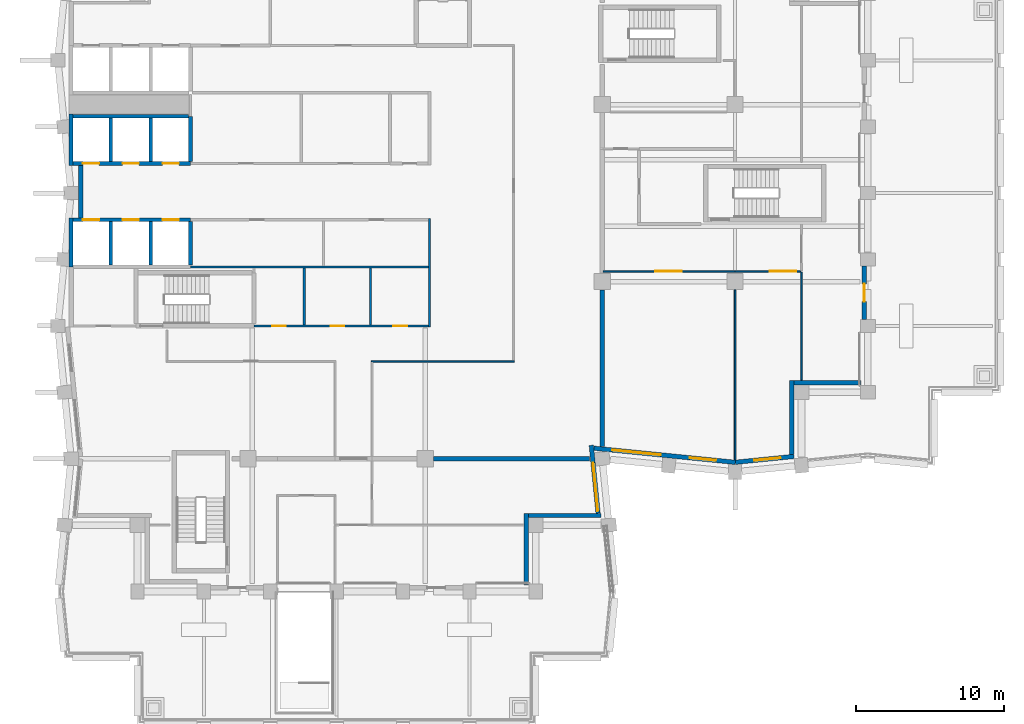
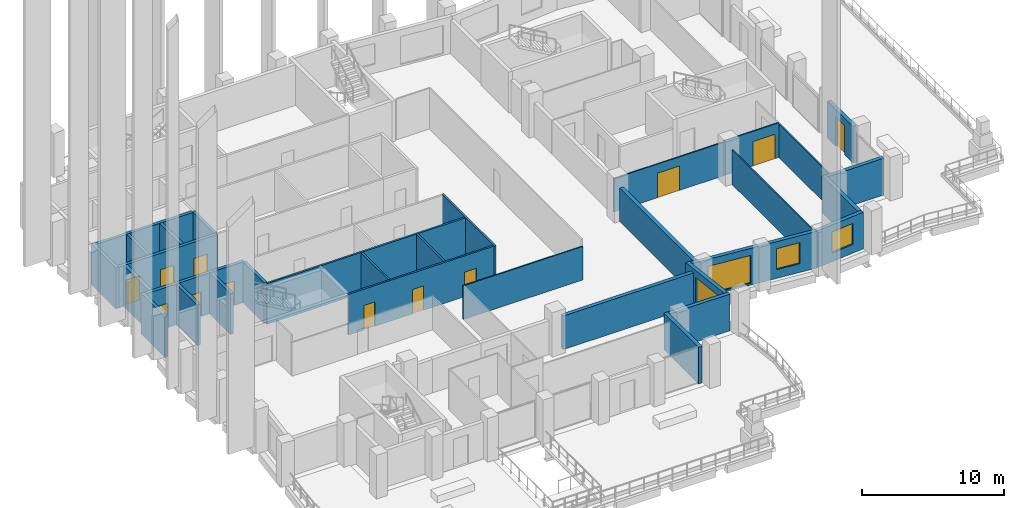
# One storey, part 12 of 19: 32 walls, 12 doors, 4 windows, 16 openings.
"""IFC4 building model written with IfcOpenShell, lengths in metres."""

from ifc_helpers import new_model, si_unit, direction, frame, frame_2d, origin, place, context, subcontext, project, spatial, rectangle, extrude, material, layer, layer_set, type_object, element, fill, save


model = new_model("IFC4")

# Units and contexts
model_context = context("Model", 3, precision=1e-05, world=origin(), true_north=direction((0.0, 1.0)))
body_context = subcontext(model_context, "Body", "Model", "MODEL_VIEW")
ifc_project = project(units=[si_unit("LENGTHUNIT", "METRE"), si_unit("AREAUNIT", "SQUARE_METRE"), si_unit("VOLUMEUNIT", "CUBIC_METRE"), si_unit("PLANEANGLEUNIT", "RADIAN"), si_unit("MASSUNIT", "GRAM", prefix="KILO")], contexts=[model_context])

# Site, building, storey
site_placement = place(None, origin())
site = spatial("IfcSite", under=ifc_project, at=site_placement, CompositionType="ELEMENT")
building_placement = place(site_placement, origin())
building = spatial("IfcBuilding", under=site, at=building_placement, Name="Brondeck Convention Tower", CompositionType="ELEMENT")
storey_placement = place(building_placement, frame((0.0, 0.0, 198.800048828125)))
storey = spatial("IfcBuildingStorey", under=building, at=storey_placement, Name="L48", CompositionType="ELEMENT", Elevation=198.800048828125)

# Walls
ifc_material_1 = material(Name="Concrete compartment wall C30/37", Category="concrete")
ifc_layer_1 = layer(ifc_material_1, 0.300048828125)
ifc_layer_set_1 = layer_set([ifc_layer_1], Name="Compartment wall 300")
wall_type_1 = type_object("IfcWallType", Name="Compartment wall 300", PredefinedType="PARTITIONING", material=ifc_layer_set_1)
wall_1_placement = place(storey_placement, frame((24.554931640625, 27.0, 0.0), z_axis=(0.0, 0.0, 1.0), x_axis=(1.0, 0.0, 0.0)))
element("IfcWall", 1, at=wall_1_placement, inside=storey, type_object=wall_type_1, Name="FLR-L48-W019", PredefinedType="PARTITIONING", context=body_context, shape_type="SweptSolid", body=[
    extrude(rectangle(XDim=10.591064453125, YDim=0.300048828125, at=frame_2d((5.29541015625, 0.0))), origin(), (0.0, 0.0, 1.0), 2.8798828125),
])
wall_2_placement = place(storey_placement, frame((36.0, 27.823974609375, 0.0), z_axis=(0.0, 0.0, 1.0), x_axis=(0.0, 1.0, 0.0)))
element("IfcWall", 2, at=wall_2_placement, inside=storey, type_object=wall_type_1, Name="FLR-L48-W022", PredefinedType="PARTITIONING", context=body_context, shape_type="SweptSolid", body=[
    extrude(rectangle(XDim=10.62109375, YDim=0.300048828125, at=frame_2d((5.310546875, 0.0))), origin(), (0.0, 0.0, 1.0), 2.8798828125),
])

# Wall, openings, doors
ifc_material_2 = material(Name="Concrete C50/60", Category="concrete")
ifc_layer_2 = layer(ifc_material_2, 0.14990234375)
ifc_layer_set_2 = layer_set([ifc_layer_2], Name="Core beam-seat wall 150 Concrete C50/60")
wall_type_2 = type_object("IfcWallType", Name="Core beam-seat wall 150 Concrete C50/60", PredefinedType="SHEAR", material=ifc_layer_set_2)
wall_3_placement = place(storey_placement, frame((12.39990234375, 36.0, 0.0), z_axis=(0.0, 0.0, 1.0), x_axis=(1.0, 0.0, 0.0)))
wall_3 = element("IfcWall", 3, at=wall_3_placement, inside=storey, type_object=wall_type_2, Name="L48 core wall", PredefinedType="SHEAR", context=body_context, shape_type="SweptSolid", body=[
    extrude(rectangle(XDim=11.8251953125, YDim=0.14990234375, at=frame_2d((5.91259765625, 0.0))), origin(), (0.0, 0.0, 1.0), 3.5),
])
opening_1_placement = place(wall_3_placement, frame((1.25, 0.0, 0.0)))
opening_1 = element("IfcOpeningElement", 4, at=opening_1_placement, cuts=wall_3, Name="Opening C27-03", PredefinedType="OPENING", context=body_context, shape_type="SweptSolid", body=[
    extrude(rectangle(XDim=0.89990234375, YDim=2.10009765625, at=frame_2d((0.449951171875, 1.050048828125))), frame((0.0, 0.0849609375, 0.0), z_axis=(0.0, -1.0, 0.0), x_axis=(1.0, 0.0, 0.0)), (0.0, 0.0, 1.0), 0.169921875),
])
opening_2_placement = place(wall_3_placement, frame((5.199951171875, 0.0, 0.0)))
opening_2 = element("IfcOpeningElement", 5, at=opening_2_placement, cuts=wall_3, Name="Opening C27-04", PredefinedType="OPENING", context=body_context, shape_type="SweptSolid", body=[
    extrude(rectangle(XDim=0.89990234375, YDim=2.10009765625, at=frame_2d((0.449951171875, 1.050048828125))), frame((0.0, 0.0849609375, 0.0), z_axis=(0.0, -1.0, 0.0), x_axis=(1.0, 0.0, 0.0)), (0.0, 0.0, 1.0), 0.169921875),
])
opening_3_placement = place(wall_3_placement, frame((9.425048828125, 0.0, 0.0)))
opening_3 = element("IfcOpeningElement", 6, at=opening_3_placement, cuts=wall_3, Name="Opening C27-05", PredefinedType="OPENING", context=body_context, shape_type="SweptSolid", body=[
    extrude(rectangle(XDim=0.949951171875, YDim=2.10009765625, at=frame_2d((0.47509765625, 1.050048828125))), frame((0.0, 0.0849609375, 0.0), z_axis=(0.0, -1.0, 0.0), x_axis=(1.0, 0.0, 0.0)), (0.0, 0.0, 1.0), 0.169921875),
])
ifc_material_3 = material(Name="Steel fire door", Category="steel")
door_type_1 = type_object("IfcDoorType", Name="Room door 900x2100 EI 60", OperationType="NOTDEFINED", PredefinedType="DOOR", material=ifc_material_3)
door_1_placement = place(opening_1_placement, origin())
door_1 = element("IfcDoor", 7, at=door_1_placement, inside=storey, type_object=door_type_1, Name="L48 Room door FR-1", OperationType="SINGLE_SWING_RIGHT", OverallHeight=2.10009765625, OverallWidth=0.89990234375, PredefinedType="DOOR", context=body_context, shape_type="SweptSolid", body=[
    extrude(rectangle(XDim=0.89990234375, YDim=2.10009765625, at=frame_2d((0.449951171875, 1.050048828125))), frame((0.0, 0.02490234375, 0.0), z_axis=(0.0, -1.0, 0.0), x_axis=(1.0, 0.0, 0.0)), (0.0, 0.0, 1.0), 0.050048828125),
])
fill(opening_1, door_1)
door_2_placement = place(opening_2_placement, origin())
door_2 = element("IfcDoor", 8, at=door_2_placement, inside=storey, type_object=door_type_1, Name="L48 Room door FR-2", OperationType="SINGLE_SWING_LEFT", OverallHeight=2.10009765625, OverallWidth=0.89990234375, PredefinedType="DOOR", context=body_context, shape_type="SweptSolid", body=[
    extrude(rectangle(XDim=0.89990234375, YDim=2.10009765625, at=frame_2d((0.449951171875, 1.050048828125))), frame((0.0, 0.02490234375, 0.0), z_axis=(0.0, -1.0, 0.0), x_axis=(1.0, 0.0, 0.0)), (0.0, 0.0, 1.0), 0.050048828125),
])
fill(opening_2, door_2)
door_type_2 = type_object("IfcDoorType", Name="Room door 950x2100 EI 60", OperationType="NOTDEFINED", PredefinedType="DOOR", material=ifc_material_3)
door_3_placement = place(opening_3_placement, origin())
door_3 = element("IfcDoor", 9, at=door_3_placement, inside=storey, type_object=door_type_2, Name="L48 Room door FR-3", OperationType="SINGLE_SWING_RIGHT", OverallHeight=2.10009765625, OverallWidth=0.949951171875, PredefinedType="DOOR", context=body_context, shape_type="SweptSolid", body=[
    extrude(rectangle(XDim=0.949951171875, YDim=2.10009765625, at=frame_2d((0.47509765625, 1.050048828125))), frame((0.0, 0.02490234375, 0.0), z_axis=(0.0, -1.0, 0.0), x_axis=(1.0, 0.0, 0.0)), (0.0, 0.0, 1.0), 0.050048828125),
])
fill(opening_3, door_3)

# Walls
ifc_layer_3 = layer(ifc_material_2, 0.300048828125)
ifc_layer_set_3 = layer_set([ifc_layer_3], Name="Core outer wall 300 Concrete C50/60")
wall_type_3 = type_object("IfcWallType", Name="Core outer wall 300 Concrete C50/60", PredefinedType="SHEAR", material=ifc_layer_set_3)
wall_4_placement = place(storey_placement, frame((0.64990234375, 43.324951171875, 0.0), z_axis=(0.0, 0.0, 1.0), x_axis=(0.0, 1.0, 0.0)))
element("IfcWall", 10, at=wall_4_placement, inside=storey, type_object=wall_type_3, Name="L48 core wall", PredefinedType="SHEAR", context=body_context, shape_type="SweptSolid", body=[
    extrude(rectangle(XDim=3.550048828125, YDim=0.300048828125, at=frame_2d((1.77490234375, 0.0))), origin(), (0.0, 0.0, 1.0), 3.5),
])
ifc_material_4 = material(Name="Fire-rated gypsum board partition")
ifc_layer_4 = layer(ifc_material_4, 0.14990234375)
ifc_layer_set_4 = layer_set([ifc_layer_4], Name="Core partition 150 EI 60")
wall_type_4 = type_object("IfcWallType", Name="Core partition 150 EI 60", PredefinedType="PARTITIONING", material=ifc_layer_set_4)
wall_5_placement = place(storey_placement, frame((8.10009765625, 40.0, 0.0), z_axis=(0.0, 0.0, 1.0), x_axis=(1.0, 0.0, 0.0)))
element("IfcWall", 11, at=wall_5_placement, inside=storey, type_object=wall_type_4, Name="L48 core wall", PredefinedType="PARTITIONING", context=body_context, shape_type="SweptSolid", body=[
    extrude(rectangle(XDim=16.125, YDim=0.14990234375, at=frame_2d((8.0625, 0.0))), origin(), (0.0, 0.0, 1.0), 3.5),
])
for number, where, z_axis, x_axis, name in (
    (12, (15.800048828125, 36.074951171875, 0.0), (0.0, 0.0, 1.0), (0.0, 1.0, 0.0), "L48 core wall"),
    (13, (20.300048828125, 36.074951171875, 0.0), (0.0, 0.0, 1.0), (0.0, 1.0, 0.0), "L48 core wall"),
):
    element("IfcWall", number, at=place(storey_placement, frame(where, z_axis=z_axis, x_axis=x_axis)), inside=storey, type_object=wall_type_4, Name=name, PredefinedType="PARTITIONING", context=body_context, shape_type="SweptSolid", body=[
        extrude(rectangle(XDim=3.85009765625, YDim=0.14990234375, at=frame_2d((1.925048828125, 0.0))), origin(), (0.0, 0.0, 1.0), 3.5),
    ])
wall_6_placement = place(storey_placement, frame((24.300048828125, 35.925048828125, 0.0), z_axis=(0.0, 0.0, 1.0), x_axis=(0.0, 1.0, 0.0)))
element("IfcWall", 14, at=wall_6_placement, inside=storey, type_object=wall_type_4, Name="L48 core wall", PredefinedType="PARTITIONING", context=body_context, shape_type="SweptSolid", body=[
    extrude(rectangle(XDim=7.349853515625, YDim=0.14990234375, at=frame_2d((3.6748046875, 0.0))), origin(), (0.0, 0.0, 1.0), 3.5),
])
ifc_material_5 = material(Name="Precast concrete C50/60 bronze finish", Category="concrete")
ifc_layer_5 = layer(ifc_material_5, 0.070068359375, Name="Bronze precast facing")
ifc_material_6 = material(Name="Mineral wool")
ifc_layer_6 = layer(ifc_material_6, 0.159912109375, Name="Insulation")
ifc_material_7 = material(Name="Concrete C35/45", Category="concrete")
ifc_layer_7 = layer(ifc_material_7, 0.070068359375, Name="Backing")
ifc_layer_set_5 = layer_set([ifc_layer_5, ifc_layer_6, ifc_layer_7], Name="External infill wall, precast concrete C50/60 bronze facing")
wall_type_5 = type_object("IfcWallType", Name="External infill wall, precast concrete C50/60 bronze facing", PredefinedType="SOLIDWALL", material=ifc_layer_set_5)
wall_7_placement = place(storey_placement, frame((30.85009765625, 23.300048828125, 0.0), z_axis=(0.0, 0.0, 1.0), x_axis=(0.0, -1.0, 0.0)))
element("IfcWall", 15, at=wall_7_placement, inside=storey, type_object=wall_type_5, Name="ENV-EW-L48-P2-NC-SEB18-01", PredefinedType="SOLIDWALL", context=body_context, shape_type="SweptSolid", body=[
    extrude(rectangle(XDim=4.85009765625, YDim=0.300048828125, at=frame_2d((2.425048828125, 0.0))), origin(), (0.0, 0.0, 1.0), 3.14990234375),
])
wall_8_placement = place(storey_placement, frame((35.8974609375, 23.14990234375, 0.0), z_axis=(0.0, 0.0, 1.0), x_axis=(-1.0, 0.0, 0.0)))
element("IfcWall", 16, at=wall_8_placement, inside=storey, type_object=wall_type_5, Name="ENV-EW-L48-P2-NC-SEB18-02", PredefinedType="SOLIDWALL", context=body_context, shape_type="SweptSolid", body=[
    extrude(rectangle(XDim=4.8974609375, YDim=0.300048828125, at=frame_2d((2.44873046875, 0.0))), origin(), (0.0, 0.0, 1.0), 3.14990234375),
])

# Wall, opening, window
wall_9_placement = place(storey_placement, frame((35.255859375, 27.908203125, 0.0), z_axis=(0.0, 0.0, 1.0), x_axis=(0.099535070904, -0.995034054523, 0.0)))
wall_9 = element("IfcWall", 17, at=wall_9_placement, inside=storey, type_object=wall_type_5, Name="ENV-EW-L48-P2-B-E-00", PredefinedType="SOLIDWALL", context=body_context, shape_type="SweptSolid", body=[
    extrude(rectangle(XDim=4.6259765625, YDim=0.300048828125, at=frame_2d((2.31298828125, 0.0))), origin(), (0.0, 0.0, 1.0), 3.14990234375),
])
opening_4_placement = place(wall_9_placement, frame((1.176025390625, 0.0, 0.14990234375)))
opening_4 = element("IfcOpeningElement", 18, at=opening_4_placement, cuts=wall_9, Name="Opening W9", PredefinedType="OPENING", context=body_context, shape_type="SweptSolid", body=[
    extrude(rectangle(XDim=3.300048828125, YDim=2.39990234375, at=frame_2d((1.64990234375, 1.199951171875))), frame((0.0, 0.159912109375, 0.0), z_axis=(0.0, -1.0, 0.0), x_axis=(1.0, 0.0, 0.0)), (0.0, 0.0, 1.0), 0.320068359375),
])
ifc_material_8 = material(Name="Bronze tinted double glazing", Category="glass")
window_type_1 = type_object("IfcWindowType", Name="Glazed flute window, bronze tinted", PartitioningType="SINGLE_PANEL", PredefinedType="WINDOW", material=ifc_material_8)
window_1_placement = place(opening_4_placement, origin())
window_1 = element("IfcWindow", 19, at=window_1_placement, inside=storey, type_object=window_type_1, Name="ENV-WN-L48-P2-B-E-00", OverallHeight=2.39990234375, OverallWidth=3.300048828125, PartitioningType="SINGLE_PANEL", PredefinedType="WINDOW", context=body_context, shape_type="SweptSolid", body=[
    extrude(rectangle(XDim=3.300048828125, YDim=2.39990234375, at=frame_2d((1.64990234375, 1.199951171875))), frame((0.0, 0.030029296875, 0.0), z_axis=(0.0, -1.0, 0.0), x_axis=(1.0, 0.0, 0.0)), (0.0, 0.0, 1.0), 0.06005859375),
])
fill(opening_4, window_1)

# Wall, openings, windows
wall_10_placement = place(storey_placement, frame((45.014892578125, 26.751708984375, 0.0), z_axis=(0.0, 0.0, 1.0), x_axis=(-0.9950379439, 0.099496181828, 0.0)))
wall_10 = element("IfcWall", 20, at=wall_10_placement, inside=storey, type_object=wall_type_5, Name="ENV-EW-L48-P2-A-S-00", PredefinedType="SOLIDWALL", context=body_context, shape_type="SweptSolid", body=[
    extrude(rectangle(XDim=9.621337890625, YDim=0.300048828125, at=frame_2d((4.810546875, 0.0))), origin(), (0.0, 0.0, 1.0), 3.14990234375),
])
opening_5_placement = place(wall_10_placement, frame((1.311279296875, 0.0, 0.75)))
opening_5 = element("IfcOpeningElement", 21, at=opening_5_placement, cuts=wall_10, Name="Opening W10", PredefinedType="OPENING", context=body_context, shape_type="SweptSolid", body=[
    extrude(rectangle(XDim=1.800048828125, YDim=1.800048828125, at=frame_2d((0.89990234375, 0.89990234375))), frame((0.0, 0.159912109375, 0.0), z_axis=(0.0, -1.0, 0.0), x_axis=(1.0, 0.0, 0.0)), (0.0, 0.0, 1.0), 0.320068359375),
])
opening_6_placement = place(wall_10_placement, frame((5.08349609375, 0.0, 0.14990234375)))
opening_6 = element("IfcOpeningElement", 22, at=opening_6_placement, cuts=wall_10, Name="Opening W9", PredefinedType="OPENING", context=body_context, shape_type="SweptSolid", body=[
    extrude(rectangle(XDim=3.300048828125, YDim=2.39990234375, at=frame_2d((1.64990234375, 1.199951171875))), frame((0.0, 0.159912109375, 0.0), z_axis=(0.0, -1.0, 0.0), x_axis=(1.0, 0.0, 0.0)), (0.0, 0.0, 1.0), 0.320068359375),
])
window_2_placement = place(opening_6_placement, origin())
window_2 = element("IfcWindow", 23, at=window_2_placement, inside=storey, type_object=window_type_1, Name="ENV-WN-L48-P2-A-S-00", OverallHeight=2.39990234375, OverallWidth=3.300048828125, PartitioningType="SINGLE_PANEL", PredefinedType="WINDOW", context=body_context, shape_type="SweptSolid", body=[
    extrude(rectangle(XDim=3.300048828125, YDim=2.39990234375, at=frame_2d((1.64990234375, 1.199951171875))), frame((0.0, 0.030029296875, 0.0), z_axis=(0.0, -1.0, 0.0), x_axis=(1.0, 0.0, 0.0)), (0.0, 0.0, 1.0), 0.06005859375),
])
fill(opening_6, window_2)
window_type_2 = type_object("IfcWindowType", Name="Punched window, bronze tinted", PartitioningType="SINGLE_PANEL", PredefinedType="WINDOW", material=ifc_material_8)
window_3_placement = place(opening_5_placement, origin())
window_3 = element("IfcWindow", 24, at=window_3_placement, inside=storey, type_object=window_type_2, Name="ENV-WN-L48-P2-A-S-01", OverallHeight=1.800048828125, OverallWidth=1.800048828125, PartitioningType="SINGLE_PANEL", PredefinedType="WINDOW", context=body_context, shape_type="SweptSolid", body=[
    extrude(rectangle(XDim=1.800048828125, YDim=1.800048828125, at=frame_2d((0.89990234375, 0.89990234375))), frame((0.0, 0.030029296875, 0.0), z_axis=(0.0, -1.0, 0.0), x_axis=(1.0, 0.0, 0.0)), (0.0, 0.0, 1.0), 0.06005859375),
])
fill(opening_5, window_3)

# Wall, opening, window
wall_11_placement = place(storey_placement, frame((48.985107421875, 27.151611328125, 0.0), z_axis=(0.0, 0.0, 1.0), x_axis=(-0.995037798293, -0.099497638, 0.0)))
wall_11 = element("IfcWall", 25, at=wall_11_placement, inside=storey, type_object=wall_type_5, Name="ENV-EW-L48-P2-A-S-02", PredefinedType="SOLIDWALL", context=body_context, shape_type="SweptSolid", body=[
    extrude(rectangle(XDim=3.97509765625, YDim=0.300048828125, at=frame_2d((1.987548828125, 0.0))), origin(), (0.0, 0.0, 1.0), 3.14990234375),
])
opening_7_placement = place(wall_11_placement, frame((0.90869140625, 0.0, 0.75)))
opening_7 = element("IfcOpeningElement", 26, at=opening_7_placement, cuts=wall_11, Name="Opening W10", PredefinedType="OPENING", context=body_context, shape_type="SweptSolid", body=[
    extrude(rectangle(XDim=1.800048828125, YDim=1.800048828125, at=frame_2d((0.89990234375, 0.89990234375))), frame((0.0, 0.159912109375, 0.0), z_axis=(0.0, -1.0, 0.0), x_axis=(1.0, 0.0, 0.0)), (0.0, 0.0, 1.0), 0.320068359375),
])
window_4_placement = place(opening_7_placement, origin())
window_4 = element("IfcWindow", 27, at=window_4_placement, inside=storey, type_object=window_type_2, Name="ENV-WN-L48-P2-A-S-02", OverallHeight=1.800048828125, OverallWidth=1.800048828125, PartitioningType="SINGLE_PANEL", PredefinedType="WINDOW", context=body_context, shape_type="SweptSolid", body=[
    extrude(rectangle(XDim=1.800048828125, YDim=1.800048828125, at=frame_2d((0.89990234375, 0.89990234375))), frame((0.0, 0.030029296875, 0.0), z_axis=(0.0, -1.0, 0.0), x_axis=(1.0, 0.0, 0.0)), (0.0, 0.0, 1.0), 0.06005859375),
])
fill(opening_7, window_4)

# Walls
wall_12_placement = place(storey_placement, frame((48.85009765625, 32.300048828125, 0.0), z_axis=(0.0, 0.0, 1.0), x_axis=(0.0, -1.0, 0.0)))
element("IfcWall", 28, at=wall_12_placement, inside=storey, type_object=wall_type_5, Name="ENV-EW-L48-P2-NC-SEA54-01", PredefinedType="SOLIDWALL", context=body_context, shape_type="SweptSolid", body=[
    extrude(rectangle(XDim=5.009765625, YDim=0.300048828125, at=frame_2d((2.5048828125, 0.0))), origin(), (0.0, 0.0, 1.0), 3.14990234375),
])
wall_13_placement = place(storey_placement, frame((53.550048828125, 32.14990234375, 0.0), z_axis=(0.0, 0.0, 1.0), x_axis=(-1.0, 0.0, 0.0)))
element("IfcWall", 29, at=wall_13_placement, inside=storey, type_object=wall_type_5, Name="ENV-EW-L48-P2-NC-SEA54-02", PredefinedType="SOLIDWALL", context=body_context, shape_type="SweptSolid", body=[
    extrude(rectangle(XDim=4.552001953125, YDim=0.300048828125, at=frame_2d((2.27587890625, 0.0))), origin(), (0.0, 0.0, 1.0), 3.14990234375),
])

# Wall, opening, door
wall_14_placement = place(storey_placement, frame((53.75, 40.050048828125, 0.0), z_axis=(0.0, 0.0, 1.0), x_axis=(0.0, -1.0, 0.0)))
wall_14 = element("IfcWall", 30, at=wall_14_placement, inside=storey, type_object=wall_type_5, Name="ENV-TW-L48-P2-A-E54-02", PredefinedType="SOLIDWALL", context=body_context, shape_type="SweptSolid", body=[
    extrude(rectangle(XDim=3.60009765625, YDim=0.300048828125, at=frame_2d((1.800048828125, 0.0))), origin(), (0.0, 0.0, 1.0), 3.14990234375),
])
opening_8_placement = place(wall_14_placement, frame((1.199951171875, 0.0, 0.0)))
opening_8 = element("IfcOpeningElement", 31, at=opening_8_placement, cuts=wall_14, Name="Opening DB-L48-A-E54-02", PredefinedType="OPENING", context=body_context, shape_type="SweptSolid", body=[
    extrude(rectangle(XDim=1.199951171875, YDim=2.5, at=frame_2d((0.60009765625, 1.25))), frame((0.0, 0.159912109375, 0.0), z_axis=(0.0, -1.0, 0.0), x_axis=(1.0, 0.0, 0.0)), (0.0, 0.0, 1.0), 0.320068359375),
])
ifc_material_9 = material(Name="Aluminium, bronze anodised", Category="aluminium")
door_type_3 = type_object("IfcDoorType", Name="Terrace door, single leaf", OperationType="SINGLE_SWING_LEFT", PredefinedType="DOOR", material=ifc_material_9)
door_4_placement = place(opening_8_placement, origin())
door_4 = element("IfcDoor", 32, at=door_4_placement, inside=storey, type_object=door_type_3, Name="ENV-D-DB-L48-A-E54-02", OperationType="SINGLE_SWING_LEFT", OverallHeight=2.5, OverallWidth=1.199951171875, PredefinedType="DOOR", context=body_context, shape_type="SweptSolid", body=[
    extrude(rectangle(XDim=1.199951171875, YDim=2.5, at=frame_2d((0.60009765625, 1.25))), frame((0.0, 0.02490234375, 0.0), z_axis=(0.0, -1.0, 0.0), x_axis=(1.0, 0.0, 0.0)), (0.0, 0.0, 1.0), 0.050048828125),
])
fill(opening_8, door_4)

# Wall, openings, doors
ifc_layer_8 = layer(ifc_material_2, 0.25)
ifc_layer_set_6 = layer_set([ifc_layer_8], Name="Lift shaft wall 250 Concrete C50/60")
wall_type_6 = type_object("IfcWallType", Name="Lift shaft wall 250 Concrete C50/60", PredefinedType="SHEAR", material=ifc_layer_set_6)
wall_15_placement = place(storey_placement, frame((0.125, 43.199951171875, 0.0), z_axis=(0.0, 0.0, 1.0), x_axis=(1.0, 0.0, 0.0)))
wall_15 = element("IfcWall", 33, at=wall_15_placement, inside=storey, type_object=wall_type_6, Name="L48 core wall", PredefinedType="SHEAR", context=body_context, shape_type="SweptSolid", body=[
    extrude(rectangle(XDim=7.97509765625, YDim=0.25, at=frame_2d((3.987548828125, 0.0))), origin(), (0.0, 0.0, 1.0), 3.5),
])
opening_9_placement = place(wall_15_placement, frame((0.675048828125, 0.0, 0.0)))
opening_9 = element("IfcOpeningElement", 34, at=opening_9_placement, cuts=wall_15, Name="Opening C27-21", PredefinedType="OPENING", context=body_context, shape_type="SweptSolid", body=[
    extrude(rectangle(XDim=1.10009765625, YDim=2.10009765625, at=frame_2d((0.550048828125, 1.050048828125))), frame((0.0, 0.135009765625, 0.0), z_axis=(0.0, -1.0, 0.0), x_axis=(1.0, 0.0, 0.0)), (0.0, 0.0, 1.0), 0.27001953125),
])
opening_10_placement = place(wall_15_placement, frame((3.375, 0.0, 0.0)))
opening_10 = element("IfcOpeningElement", 35, at=opening_10_placement, cuts=wall_15, Name="Opening C27-22", PredefinedType="OPENING", context=body_context, shape_type="SweptSolid", body=[
    extrude(rectangle(XDim=1.10009765625, YDim=2.10009765625, at=frame_2d((0.550048828125, 1.050048828125))), frame((0.0, 0.135009765625, 0.0), z_axis=(0.0, -1.0, 0.0), x_axis=(1.0, 0.0, 0.0)), (0.0, 0.0, 1.0), 0.27001953125),
])
opening_11_placement = place(wall_15_placement, frame((6.074951171875, 0.0, 0.0)))
opening_11 = element("IfcOpeningElement", 36, at=opening_11_placement, cuts=wall_15, Name="Opening C27-23", PredefinedType="OPENING", context=body_context, shape_type="SweptSolid", body=[
    extrude(rectangle(XDim=1.10009765625, YDim=2.10009765625, at=frame_2d((0.550048828125, 1.050048828125))), frame((0.0, 0.135009765625, 0.0), z_axis=(0.0, -1.0, 0.0), x_axis=(1.0, 0.0, 0.0)), (0.0, 0.0, 1.0), 0.27001953125),
])
ifc_material_10 = material(Name="Stainless steel lift door", Category="steel")
door_type_4 = type_object("IfcDoorType", Name="Lift landing door 1100x2100 EI 180", OperationType="DOUBLE_DOOR_SLIDING", PredefinedType="DOOR", material=ifc_material_10)
door_5_placement = place(opening_9_placement, origin())
door_5 = element("IfcDoor", 37, at=door_5_placement, inside=storey, type_object=door_type_4, Name="L48 Lift landing door HR1", OperationType="DOUBLE_DOOR_SLIDING", OverallHeight=2.10009765625, OverallWidth=1.10009765625, PredefinedType="DOOR", context=body_context, shape_type="SweptSolid", body=[
    extrude(rectangle(XDim=1.10009765625, YDim=2.10009765625, at=frame_2d((0.550048828125, 1.050048828125))), frame((0.0, 0.02490234375, 0.0), z_axis=(0.0, -1.0, 0.0), x_axis=(1.0, 0.0, 0.0)), (0.0, 0.0, 1.0), 0.050048828125),
])
fill(opening_9, door_5)
door_6_placement = place(opening_10_placement, origin())
door_6 = element("IfcDoor", 38, at=door_6_placement, inside=storey, type_object=door_type_4, Name="L48 Lift landing door HR2", OperationType="DOUBLE_DOOR_SLIDING", OverallHeight=2.10009765625, OverallWidth=1.10009765625, PredefinedType="DOOR", context=body_context, shape_type="SweptSolid", body=[
    extrude(rectangle(XDim=1.10009765625, YDim=2.10009765625, at=frame_2d((0.550048828125, 1.050048828125))), frame((0.0, 0.02490234375, 0.0), z_axis=(0.0, -1.0, 0.0), x_axis=(1.0, 0.0, 0.0)), (0.0, 0.0, 1.0), 0.050048828125),
])
fill(opening_10, door_6)
door_7_placement = place(opening_11_placement, origin())
door_7 = element("IfcDoor", 39, at=door_7_placement, inside=storey, type_object=door_type_4, Name="L48 Lift landing door HR3", OperationType="DOUBLE_DOOR_SLIDING", OverallHeight=2.10009765625, OverallWidth=1.10009765625, PredefinedType="DOOR", context=body_context, shape_type="SweptSolid", body=[
    extrude(rectangle(XDim=1.10009765625, YDim=2.10009765625, at=frame_2d((0.550048828125, 1.050048828125))), frame((0.0, 0.02490234375, 0.0), z_axis=(0.0, -1.0, 0.0), x_axis=(1.0, 0.0, 0.0)), (0.0, 0.0, 1.0), 0.050048828125),
])
fill(opening_11, door_7)

wall_16_placement = place(storey_placement, frame((0.125, 47.0, 0.0), z_axis=(0.0, 0.0, 1.0), x_axis=(1.0, 0.0, 0.0)))
wall_16 = element("IfcWall", 40, at=wall_16_placement, inside=storey, type_object=wall_type_6, Name="L48 core wall", PredefinedType="SHEAR", context=body_context, shape_type="SweptSolid", body=[
    extrude(rectangle(XDim=7.97509765625, YDim=0.25, at=frame_2d((3.987548828125, 0.0))), origin(), (0.0, 0.0, 1.0), 3.5),
])
opening_12_placement = place(wall_16_placement, frame((0.675048828125, 0.0, 0.0)))
opening_12 = element("IfcOpeningElement", 41, at=opening_12_placement, cuts=wall_16, Name="Opening C27-24", PredefinedType="OPENING", context=body_context, shape_type="SweptSolid", body=[
    extrude(rectangle(XDim=1.10009765625, YDim=2.10009765625, at=frame_2d((0.550048828125, 1.050048828125))), frame((0.0, 0.135009765625, 0.0), z_axis=(0.0, -1.0, 0.0), x_axis=(1.0, 0.0, 0.0)), (0.0, 0.0, 1.0), 0.27001953125),
])
opening_13_placement = place(wall_16_placement, frame((3.375, 0.0, 0.0)))
opening_13 = element("IfcOpeningElement", 42, at=opening_13_placement, cuts=wall_16, Name="Opening C27-25", PredefinedType="OPENING", context=body_context, shape_type="SweptSolid", body=[
    extrude(rectangle(XDim=1.10009765625, YDim=2.10009765625, at=frame_2d((0.550048828125, 1.050048828125))), frame((0.0, 0.135009765625, 0.0), z_axis=(0.0, -1.0, 0.0), x_axis=(1.0, 0.0, 0.0)), (0.0, 0.0, 1.0), 0.27001953125),
])
opening_14_placement = place(wall_16_placement, frame((6.074951171875, 0.0, 0.0)))
opening_14 = element("IfcOpeningElement", 43, at=opening_14_placement, cuts=wall_16, Name="Opening C27-26", PredefinedType="OPENING", context=body_context, shape_type="SweptSolid", body=[
    extrude(rectangle(XDim=1.10009765625, YDim=2.10009765625, at=frame_2d((0.550048828125, 1.050048828125))), frame((0.0, 0.135009765625, 0.0), z_axis=(0.0, -1.0, 0.0), x_axis=(1.0, 0.0, 0.0)), (0.0, 0.0, 1.0), 0.27001953125),
])
door_8_placement = place(opening_12_placement, origin())
door_8 = element("IfcDoor", 44, at=door_8_placement, inside=storey, type_object=door_type_4, Name="L48 Lift landing door HR4", OperationType="DOUBLE_DOOR_SLIDING", OverallHeight=2.10009765625, OverallWidth=1.10009765625, PredefinedType="DOOR", context=body_context, shape_type="SweptSolid", body=[
    extrude(rectangle(XDim=1.10009765625, YDim=2.10009765625, at=frame_2d((0.550048828125, 1.050048828125))), frame((0.0, 0.02490234375, 0.0), z_axis=(0.0, -1.0, 0.0), x_axis=(1.0, 0.0, 0.0)), (0.0, 0.0, 1.0), 0.050048828125),
])
fill(opening_12, door_8)
door_9_placement = place(opening_13_placement, origin())
door_9 = element("IfcDoor", 45, at=door_9_placement, inside=storey, type_object=door_type_4, Name="L48 Lift landing door HR5", OperationType="DOUBLE_DOOR_SLIDING", OverallHeight=2.10009765625, OverallWidth=1.10009765625, PredefinedType="DOOR", context=body_context, shape_type="SweptSolid", body=[
    extrude(rectangle(XDim=1.10009765625, YDim=2.10009765625, at=frame_2d((0.550048828125, 1.050048828125))), frame((0.0, 0.02490234375, 0.0), z_axis=(0.0, -1.0, 0.0), x_axis=(1.0, 0.0, 0.0)), (0.0, 0.0, 1.0), 0.050048828125),
])
fill(opening_13, door_9)
door_10_placement = place(opening_14_placement, origin())
door_10 = element("IfcDoor", 46, at=door_10_placement, inside=storey, type_object=door_type_4, Name="L48 Lift landing door HR6", OperationType="DOUBLE_DOOR_SLIDING", OverallHeight=2.10009765625, OverallWidth=1.10009765625, PredefinedType="DOOR", context=body_context, shape_type="SweptSolid", body=[
    extrude(rectangle(XDim=1.10009765625, YDim=2.10009765625, at=frame_2d((0.550048828125, 1.050048828125))), frame((0.0, 0.02490234375, 0.0), z_axis=(0.0, -1.0, 0.0), x_axis=(1.0, 0.0, 0.0)), (0.0, 0.0, 1.0), 0.050048828125),
])
fill(opening_14, door_10)

# Walls
wall_17_placement = place(storey_placement, frame((0.125, 50.199951171875, 0.0), z_axis=(0.0, 0.0, 1.0), x_axis=(1.0, 0.0, 0.0)))
element("IfcWall", 47, at=wall_17_placement, inside=storey, type_object=wall_type_6, Name="L48 core wall", PredefinedType="SHEAR", context=body_context, shape_type="SweptSolid", body=[
    extrude(rectangle(XDim=7.85009765625, YDim=0.25, at=frame_2d((3.925048828125, 0.0))), origin(), (0.0, 0.0, 1.0), 3.5),
])
wall_18_placement = place(storey_placement, frame((0.0, 40.0, 0.0), z_axis=(0.0, 0.0, 1.0), x_axis=(0.0, 1.0, 0.0)))
element("IfcWall", 48, at=wall_18_placement, inside=storey, type_object=wall_type_6, Name="L48 core wall", PredefinedType="SHEAR", context=body_context, shape_type="SweptSolid", body=[
    extrude(rectangle(XDim=3.324951171875, YDim=0.25, at=frame_2d((1.66259765625, 0.0))), origin(), (0.0, 0.0, 1.0), 3.5),
])
wall_19_placement = place(storey_placement, frame((0.0, 46.875, 0.0), z_axis=(0.0, 0.0, 1.0), x_axis=(0.0, 1.0, 0.0)))
element("IfcWall", 49, at=wall_19_placement, inside=storey, type_object=wall_type_6, Name="L48 core wall", PredefinedType="SHEAR", context=body_context, shape_type="SweptSolid", body=[
    extrude(rectangle(XDim=3.47509765625, YDim=0.25, at=frame_2d((1.737548828125, 0.0))), origin(), (0.0, 0.0, 1.0), 3.5),
])
for number, where, z_axis, x_axis, name in (
    (50, (2.699951171875, 40.125, 0.0), (0.0, 0.0, 1.0), (0.0, 1.0, 0.0), "L48 core wall"),
    (51, (2.699951171875, 47.125, 0.0), (0.0, 0.0, 1.0), (0.0, 1.0, 0.0), "L48 core wall"),
    (52, (5.39990234375, 40.125, 0.0), (0.0, 0.0, 1.0), (0.0, 1.0, 0.0), "L48 core wall"),
    (53, (5.39990234375, 47.125, 0.0), (0.0, 0.0, 1.0), (0.0, 1.0, 0.0), "L48 core wall"),
    (54, (8.10009765625, 40.125, 0.0), (0.0, 0.0, 1.0), (0.0, 1.0, 0.0), "L48 core wall"),
):
    element("IfcWall", number, at=place(storey_placement, frame(where, z_axis=z_axis, x_axis=x_axis)), inside=storey, type_object=wall_type_6, Name=name, PredefinedType="SHEAR", context=body_context, shape_type="SweptSolid", body=[
        extrude(rectangle(XDim=2.949951171875, YDim=0.25, at=frame_2d((1.47509765625, 0.0))), origin(), (0.0, 0.0, 1.0), 3.5),
    ])
wall_20_placement = place(storey_placement, frame((8.10009765625, 47.125, 0.0), z_axis=(0.0, 0.0, 1.0), x_axis=(0.0, 1.0, 0.0)))
element("IfcWall", 55, at=wall_20_placement, inside=storey, type_object=wall_type_6, Name="L48 core wall", PredefinedType="SHEAR", context=body_context, shape_type="SweptSolid", body=[
    extrude(rectangle(XDim=3.074951171875, YDim=0.25, at=frame_2d((1.53759765625, 0.0))), origin(), (0.0, 0.0, 1.0), 3.5),
])
ifc_material_11 = material(Name="Gypsum board partition on steel studs", Category="steel")
ifc_layer_9 = layer(ifc_material_11, 0.10009765625)
ifc_layer_set_7 = layer_set([ifc_layer_9], Name="Room partition 100")
wall_type_7 = type_object("IfcWallType", Name="Room partition 100", PredefinedType="PARTITIONING", material=ifc_layer_set_7)
wall_21_placement = place(storey_placement, frame((49.5, 32.320068359375, 0.0), z_axis=(0.0, 0.0, 1.0), x_axis=(0.0, 1.0, 0.0)))
element("IfcWall", 56, at=wall_21_placement, inside=storey, type_object=wall_type_7, Name="FLR-L48-W024", PredefinedType="PARTITIONING", context=body_context, shape_type="SweptSolid", body=[
    extrude(rectangle(XDim=7.329833984375, YDim=0.10009765625, at=frame_2d((3.6650390625, 0.0))), origin(), (0.0, 0.0, 1.0), 2.8798828125),
])
wall_22_placement = place(storey_placement, frame((30.050048828125, 33.60009765625, 0.0), z_axis=(0.0, 0.0, 1.0), x_axis=(-1.0, 0.0, 0.0)))
element("IfcWall", 57, at=wall_22_placement, inside=storey, type_object=wall_type_7, Name="FLR-L48-W027", PredefinedType="PARTITIONING", context=body_context, shape_type="SweptSolid", body=[
    extrude(rectangle(XDim=9.699951171875, YDim=0.10009765625, at=frame_2d((4.85009765625, 0.0))), origin(), (0.0, 0.0, 1.0), 2.8798828125),
])
wall_23_placement = place(storey_placement, frame((45.0, 38.445068359375, 0.0), z_axis=(0.0, 0.0, 1.0), x_axis=(0.0, -1.0, 0.0)))
element("IfcWall", 58, at=wall_23_placement, inside=storey, type_object=wall_type_7, Name="FLR-L48-W029", PredefinedType="PARTITIONING", context=body_context, shape_type="SweptSolid", body=[
    extrude(rectangle(XDim=11.52099609375, YDim=0.10009765625, at=frame_2d((5.760498046875, 0.0))), origin(), (0.0, 0.0, 1.0), 2.97998046875),
])

# Wall, opening, door
wall_24_placement = place(storey_placement, frame((45.0, 39.699951171875, 0.0), z_axis=(0.0, 0.0, 1.0), x_axis=(-1.0, 0.0, 0.0)))
wall_24 = element("IfcWall", 59, at=wall_24_placement, inside=storey, type_object=wall_type_7, Name="FLR-L48-W030", PredefinedType="PARTITIONING", context=body_context, shape_type="SweptSolid", body=[
    extrude(rectangle(XDim=8.949951171875, YDim=0.10009765625, at=frame_2d((4.47509765625, 0.0))), origin(), (0.0, 0.0, 1.0), 2.8798828125),
])
opening_15_placement = place(wall_24_placement, frame((3.60009765625, 0.0, 0.0)))
opening_15 = element("IfcOpeningElement", 60, at=opening_15_placement, cuts=wall_24, Name="Opening OF-K-004", PredefinedType="OPENING", context=body_context, shape_type="SweptSolid", body=[
    extrude(rectangle(XDim=1.800048828125, YDim=2.10009765625, at=frame_2d((0.89990234375, 1.050048828125))), frame((0.0, 0.06005859375, 0.0), z_axis=(0.0, -1.0, 0.0), x_axis=(1.0, 0.0, 0.0)), (0.0, 0.0, 1.0), 0.1201171875),
])
ifc_material_12 = material(Name="Glazed timber double door", Category="wood")
door_type_5 = type_object("IfcDoorType", Name="Double door 1800", OperationType="DOUBLE_DOOR_SINGLE_SWING", PredefinedType="DOOR", material=ifc_material_12)
door_11_placement = place(opening_15_placement, origin())
door_11 = element("IfcDoor", 61, at=door_11_placement, inside=storey, type_object=door_type_5, Name="Door OF-K-004", OperationType="DOUBLE_DOOR_SINGLE_SWING", OverallHeight=2.10009765625, OverallWidth=1.800048828125, PredefinedType="DOOR", context=body_context, shape_type="SweptSolid", body=[
    extrude(rectangle(XDim=1.800048828125, YDim=2.10009765625, at=frame_2d((0.89990234375, 1.050048828125))), frame((0.0, 0.02490234375, 0.0), z_axis=(0.0, -1.0, 0.0), x_axis=(1.0, 0.0, 0.0)), (0.0, 0.0, 1.0), 0.050048828125),
])
fill(opening_15, door_11)

wall_25_placement = place(storey_placement, frame((49.449951171875, 39.699951171875, 0.0), z_axis=(0.0, 0.0, 1.0), x_axis=(-1.0, 0.0, 0.0)))
wall_25 = element("IfcWall", 62, at=wall_25_placement, inside=storey, type_object=wall_type_7, Name="FLR-L48-W031", PredefinedType="PARTITIONING", context=body_context, shape_type="SweptSolid", body=[
    extrude(rectangle(XDim=4.449951171875, YDim=0.10009765625, at=frame_2d((2.22509765625, 0.0))), origin(), (0.0, 0.0, 1.0), 2.97998046875),
])
opening_16_placement = place(wall_25_placement, frame((0.303955078125, 0.0, 0.0)))
opening_16 = element("IfcOpeningElement", 63, at=opening_16_placement, cuts=wall_25, Name="Opening OF-K-005", PredefinedType="OPENING", context=body_context, shape_type="SweptSolid", body=[
    extrude(rectangle(XDim=1.800048828125, YDim=2.10009765625, at=frame_2d((0.89990234375, 1.050048828125))), frame((0.0, 0.06005859375, 0.0), z_axis=(0.0, -1.0, 0.0), x_axis=(1.0, 0.0, 0.0)), (0.0, 0.0, 1.0), 0.1201171875),
])
door_12_placement = place(opening_16_placement, origin())
door_12 = element("IfcDoor", 64, at=door_12_placement, inside=storey, type_object=door_type_5, Name="Door OF-K-005", OperationType="DOUBLE_DOOR_SINGLE_SWING", OverallHeight=2.10009765625, OverallWidth=1.800048828125, PredefinedType="DOOR", context=body_context, shape_type="SweptSolid", body=[
    extrude(rectangle(XDim=1.800048828125, YDim=2.10009765625, at=frame_2d((0.89990234375, 1.050048828125))), frame((0.0, 0.02490234375, 0.0), z_axis=(0.0, -1.0, 0.0), x_axis=(1.0, 0.0, 0.0)), (0.0, 0.0, 1.0), 0.050048828125),
])
fill(opening_16, door_12)

save(model, "model.ifc")
